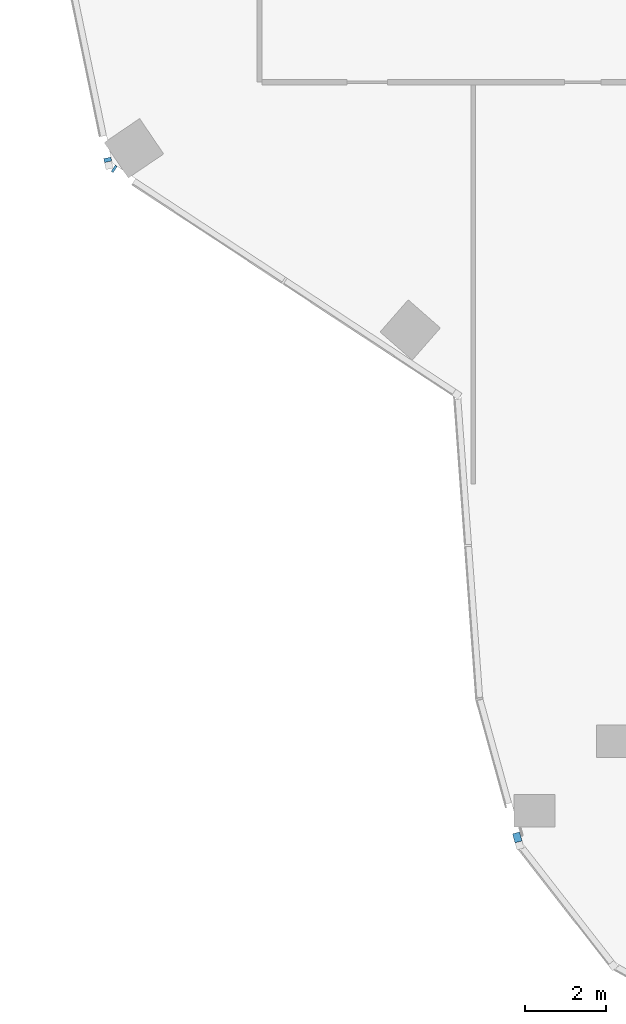
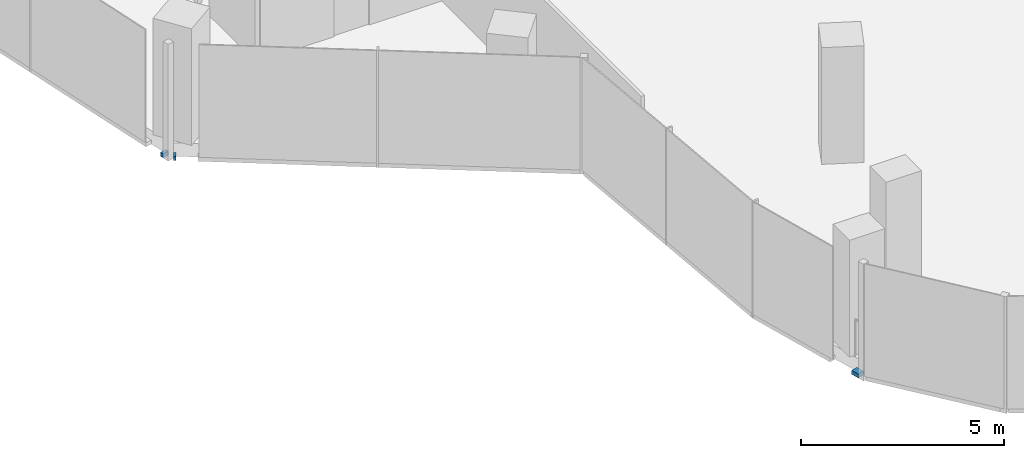
# One storey, part 12 of 24: 3 members, 3 elements without a shape of their own.
"""IFC4 building model written with IfcOpenShell, lengths in metres."""

import ifcopenshell
import ifcopenshell.guid

model = None  # the IFC model being written
_history = None  # IfcOwnerHistory: only IFC2X3 demands one
_inside = {}  # id of a spatial element -> (the spatial element, [elements in it])
_under = {}  # id of a project, library or spatial element -> (it, [spatial elements below it])
_declared = {}  # id of a project -> (the project, [libraries it declares])
_typed = {}  # id of a type object -> (the type object, [elements of that type])
_made_of = {}  # id of a material, layer set ... -> (it, [elements and type objects made of it])


def new_model(schema):
    """Start an empty IFC model of exactly this schema.

    Asked for "IFC4X3", IfcOpenShell would pick the latest addendum, in which some entities
    have other attributes; the version numbers below select the first issue.
    IFC2X3 requires an IfcOwnerHistory on every rooted entity: one is made here for all.
    """
    global model, _history
    if schema == "IFC4X3":
        model = ifcopenshell.file(schema_version=(4, 3, 0, 0))
    else:
        model = ifcopenshell.file(schema=schema)
    _inside.clear()
    _under.clear()
    _declared.clear()
    _typed.clear()
    _made_of.clear()
    _history = None
    if model.schema == "IFC2X3":
        org = make("IfcOrganization", Name="unknown")
        user = make(
            "IfcPersonAndOrganization",
            ThePerson=make("IfcPerson", FamilyName="unknown"),
            TheOrganization=org,
        )
        app = make(
            "IfcApplication",
            ApplicationDeveloper=org,
            Version="unknown",
            ApplicationFullName="unknown",
            ApplicationIdentifier="unknown",
        )
        _history = make(
            "IfcOwnerHistory",
            OwningUser=user,
            OwningApplication=app,
            ChangeAction="ADDED",
            CreationDate=0,
        )
    return model


def make(cls, **values):
    """One entity of the class cls with the attributes given. An attribute that is None is left unset."""
    return model.create_entity(
        cls, **{name: value for name, value in values.items() if value is not None}
    )


def rooted(cls, **values):
    """An entity with a GlobalId (a new one), such as an element, a storey or a relation."""
    return make(cls, GlobalId=ifcopenshell.guid.new(), OwnerHistory=_history, **values)


def si_unit(unit_type, name, prefix=None):
    """IfcSIUnit, for example si_unit("LENGTHUNIT", "METRE", prefix="MILLI")."""
    return make("IfcSIUnit", UnitType=unit_type, Prefix=prefix, Name=name)


def assignment(units):
    """IfcUnitAssignment: the units of a project."""
    return None if units is None else make("IfcUnitAssignment", Units=units)


def point(xyz):
    """IfcCartesianPoint."""
    return None if xyz is None else make("IfcCartesianPoint", Coordinates=xyz)


def direction(xyz):
    """IfcDirection."""
    return None if xyz is None else make("IfcDirection", DirectionRatios=xyz)


def frame(location, z_axis=None, x_axis=None):
    """IfcAxis2Placement3D, a coordinate frame: its origin and axes. An axis left out is left unset."""
    return make(
        "IfcAxis2Placement3D",
        Location=point(location),
        Axis=direction(z_axis),
        RefDirection=direction(x_axis),
    )


def frame_2d(location, x_axis=None):
    """IfcAxis2Placement2D, a coordinate frame in the plane: its origin and x axis."""
    return make(
        "IfcAxis2Placement2D", Location=point(location), RefDirection=direction(x_axis)
    )


def origin():
    """The frame at (0, 0, 0) with its axes left unset."""
    return frame((0.0, 0.0, 0.0))


def origin_2d():
    """The frame at (0, 0) in the plane with its x axis left unset."""
    return frame_2d((0.0, 0.0))


def place(relative_to, where):
    """IfcLocalPlacement: puts the frame where relative to a parent placement (None: the world)."""
    return make(
        "IfcLocalPlacement", PlacementRelTo=relative_to, RelativePlacement=where
    )


def context(
    kind, dimensions, precision=None, world=None, true_north=None, identifier=None
):
    """IfcGeometricRepresentationContext, for example the 3D "Model" context."""
    return make(
        "IfcGeometricRepresentationContext",
        ContextIdentifier=identifier,
        ContextType=kind,
        CoordinateSpaceDimension=dimensions,
        Precision=precision,
        WorldCoordinateSystem=world,
        TrueNorth=true_north,
    )


def subcontext(parent, identifier, kind, view, scale=None):
    """IfcGeometricRepresentationSubContext, for example "Body" below "Model"."""
    return make(
        "IfcGeometricRepresentationSubContext",
        ContextIdentifier=identifier,
        ContextType=kind,
        ParentContext=parent,
        TargetScale=scale,
        TargetView=view,
    )


def project(units=None, contexts=None):
    """IfcProject with its units and contexts."""
    return rooted(
        "IfcProject",
        Name="project",
        RepresentationContexts=contexts,
        UnitsInContext=assignment(units),
    )


def spatial(cls, under=None, at=None, **own):
    """A site, building, storey or space (cls), placed at a placement, below another one or the project."""
    s = rooted(cls, ObjectPlacement=at, **own)
    if under is not None:
        _under.setdefault(under.id(), (under, []))[1].append(s)
    return s


def profile(cls, at=None, kind="AREA", **sizes):
    """A parametric profile (cls). Its sizes go by their IFC names, for example OverallWidth=200.0."""
    return make(cls, ProfileType=kind, Position=at, **sizes)


def rectangle(**sizes):
    """IfcRectangleProfileDef."""
    return profile("IfcRectangleProfileDef", **sizes)


def extrude(swept, where, along, depth):
    """IfcExtrudedAreaSolid: the profile swept, set in the frame where, extruded along a direction by depth."""
    return make(
        "IfcExtrudedAreaSolid",
        SweptArea=swept,
        Position=where,
        ExtrudedDirection=direction(along),
        Depth=depth,
    )


def shape(context_of_items, identifier, shape_type, items):
    """IfcShapeRepresentation: the items that make up one representation, for example the "Body"."""
    return make(
        "IfcShapeRepresentation",
        ContextOfItems=context_of_items,
        RepresentationIdentifier=identifier,
        RepresentationType=shape_type,
        Items=items,
    )


def material(Name=None, Category=None):
    """IfcMaterial."""
    return make("IfcMaterial", Name=Name, Category=Category)


def material_profile(
    of_material, cross_section, Name=None, Category=None, Priority=None
):
    """IfcMaterialProfile: a cross section and its material."""
    return make(
        "IfcMaterialProfile",
        Name=Name,
        Material=of_material,
        Profile=cross_section,
        Priority=Priority,
        Category=Category,
    )


def profile_set(profiles, Name=None, composite=None):
    """IfcMaterialProfileSet."""
    return make(
        "IfcMaterialProfileSet",
        Name=Name,
        MaterialProfiles=profiles,
        CompositeProfile=composite,
    )


def made_of(thing, what):
    """Note that an element or type object is made of a material, layer set ...; save() writes the relation."""
    if what is not None:
        _made_of.setdefault(what.id(), (what, []))[1].append(thing)
    return thing


def type_object(cls, material=None, **own):
    """A type object (cls), such as IfcWallType, which elements share."""
    return made_of(rooted(cls, **own), material)


def element(
    cls,
    number,
    at=None,
    inside=None,
    cuts=None,
    type_object=None,
    material=None,
    context=None,
    identifier="Body",
    shape_type=None,
    held_by="IfcProductDefinitionShape",
    body=None,
    shapes=None,
    **own,
):
    """One element of the class cls, such as IfcWall. Its Tag is "e" and its number.

    at: its placement. inside: the storey or other place that contains it. cuts: it is an
    opening in that element (IfcRelVoidsElement). A single representation is given by context,
    identifier, shape_type and body (its items); several are given by shapes. held_by: the class
    of the entity that holds the representations. save() writes the other relations.
    """
    e = rooted(cls, Tag="e%d" % number, ObjectPlacement=at, **own)
    if body is not None:
        shapes = [shape(context, identifier, shape_type, body)]
    if shapes is not None:
        e.Representation = make(held_by, Representations=shapes)
    if inside is not None:
        _inside.setdefault(inside.id(), (inside, []))[1].append(e)
    if cuts is not None:
        rooted(
            "IfcRelVoidsElement", RelatingBuildingElement=cuts, RelatedOpeningElement=e
        )
    if type_object is not None:
        _typed.setdefault(type_object.id(), (type_object, []))[1].append(e)
    return made_of(e, material)


def aggregate(whole, parts):
    """IfcRelAggregates: a whole, such as a stair, and the parts it consists of."""
    return rooted("IfcRelAggregates", RelatingObject=whole, RelatedObjects=parts)


def save(model, path):
    """Write the relations noted so far, then the file.

    IfcRelAggregates (storeys below a building ...), IfcRelContainedInSpatialStructure (elements
    in a storey), IfcRelDefinesByType, IfcRelAssociatesMaterial and IfcRelDeclares: one each for
    every whole, place, type object, material and project.
    """
    for whole, parts in _under.values():
        aggregate(whole, parts)
    for where, things in _inside.values():
        rooted(
            "IfcRelContainedInSpatialStructure",
            RelatedElements=things,
            RelatingStructure=where,
        )
    for kind, things in _typed.values():
        rooted("IfcRelDefinesByType", RelatedObjects=things, RelatingType=kind)
    for what, things in _made_of.values():
        rooted("IfcRelAssociatesMaterial", RelatedObjects=things, RelatingMaterial=what)
    for by, libraries in _declared.values():
        rooted("IfcRelDeclares", RelatingContext=by, RelatedDefinitions=libraries)
    model.write(path)


model = new_model("IFC4")

# Units and contexts
model_context = context("Model", 3, precision=1e-05, world=origin(), true_north=direction((0.0, 1.0)))
body_context = subcontext(model_context, "Body", "Model", "MODEL_VIEW")
ifc_project = project(units=[si_unit("LENGTHUNIT", "METRE"), si_unit("AREAUNIT", "SQUARE_METRE"), si_unit("VOLUMEUNIT", "CUBIC_METRE"), si_unit("PLANEANGLEUNIT", "RADIAN"), si_unit("MASSUNIT", "GRAM", prefix="KILO")], contexts=[model_context])

# Site, building, storey
site_placement = place(None, origin())
site = spatial("IfcSite", under=ifc_project, at=site_placement, CompositionType="ELEMENT")
building_placement = place(site_placement, origin())
building = spatial("IfcBuilding", under=site, at=building_placement, Name="Orlundy Tower", CompositionType="ELEMENT")
storey_placement = place(building_placement, frame((0.0, 0.0, 235.5)))
storey = spatial("IfcBuildingStorey", under=building, at=storey_placement, Name="L62", CompositionType="ELEMENT", Elevation=235.5)

# Curtain wall, member
ifc_material_1 = material(Name="Aluminium bronze anodised", Category="aluminium")
curtain_wall_type = type_object("IfcCurtainWallType", Name="CW1 wall", PredefinedType="NOTDEFINED", material=ifc_material_1)
curtain_wall_1_placement = place(storey_placement, origin())
curtain_wall_1 = element("IfcCurtainWall", 1, at=curtain_wall_1_placement, inside=storey, type_object=curtain_wall_type, Name="CW1 run 011", PredefinedType="NOTDEFINED")
ifc_material_2 = material(Name="Aluminium bronze anodised", Category="aluminium")
ifc_material_profile = material_profile(ifc_material_2, rectangle(XDim=0.179931640625, YDim=0.1201171875, at=origin_2d()), Name="CW1 transom 180x120")
ifc_profile_set = profile_set([ifc_material_profile], Name="Aluminium bronze anodised")
member_type = type_object("IfcMemberType", Name="CW1 transom 180x120", PredefinedType="USERDEFINED", material=ifc_profile_set)
member_1_placement = place(storey_placement, frame((-16.887939453125, -34.9013671875, -0.340087890625), z_axis=(-0.265928998126, 0.963992618206, 0.0), x_axis=(-0.963992618206, -0.265928998126, 0.0)))
member_1 = element("IfcMember", 2, at=member_1_placement, type_object=member_type, Name="CW1 transom", ObjectType="TRANSOM", PredefinedType="USERDEFINED", context=body_context, shape_type="SweptSolid", body=[
    extrude(rectangle(XDim=0.179931640625, YDim=0.1201171875, at=origin_2d()), origin(), (0.0, 0.0, 1.0), 0.227783203125),
])
aggregate(curtain_wall_1, [member_1])

curtain_wall_2_placement = place(storey_placement, origin())
curtain_wall_2 = element("IfcCurtainWall", 3, at=curtain_wall_2_placement, inside=storey, type_object=curtain_wall_type, Name="CW1 run 013", PredefinedType="NOTDEFINED")
member_2_placement = place(storey_placement, frame((-26.791015625, -18.393798828125, -0.340087890625), z_axis=(-0.834534900389, 0.550955079868, 0.0), x_axis=(-0.550955079868, -0.834534900389, 0.0)))
member_2 = element("IfcMember", 4, at=member_2_placement, type_object=member_type, Name="CW1 transom", ObjectType="TRANSOM", PredefinedType="USERDEFINED", context=body_context, shape_type="SweptSolid", body=[
    extrude(rectangle(XDim=0.179931640625, YDim=0.1201171875, at=origin_2d()), origin(), (0.0, 0.0, 1.0), 0.060302734375),
])
aggregate(curtain_wall_2, [member_2])

curtain_wall_3_placement = place(storey_placement, origin())
curtain_wall_3 = element("IfcCurtainWall", 5, at=curtain_wall_3_placement, inside=storey, type_object=curtain_wall_type, Name="CW1 run 014", PredefinedType="NOTDEFINED")
member_3_placement = place(storey_placement, frame((-26.9658203125, -18.20263671875, -0.340087890625), z_axis=(-0.202854035669, 0.979208986995, 0.0), x_axis=(-0.979208986995, -0.202854035669, 0.0)))
member_3 = element("IfcMember", 6, at=member_3_placement, type_object=member_type, Name="CW1 transom", ObjectType="TRANSOM", PredefinedType="USERDEFINED", context=body_context, shape_type="SweptSolid", body=[
    extrude(rectangle(XDim=0.179931640625, YDim=0.1201171875, at=origin_2d()), origin(), (0.0, 0.0, 1.0), 0.097412109375),
])
aggregate(curtain_wall_3, [member_3])

save(model, "model.ifc")
